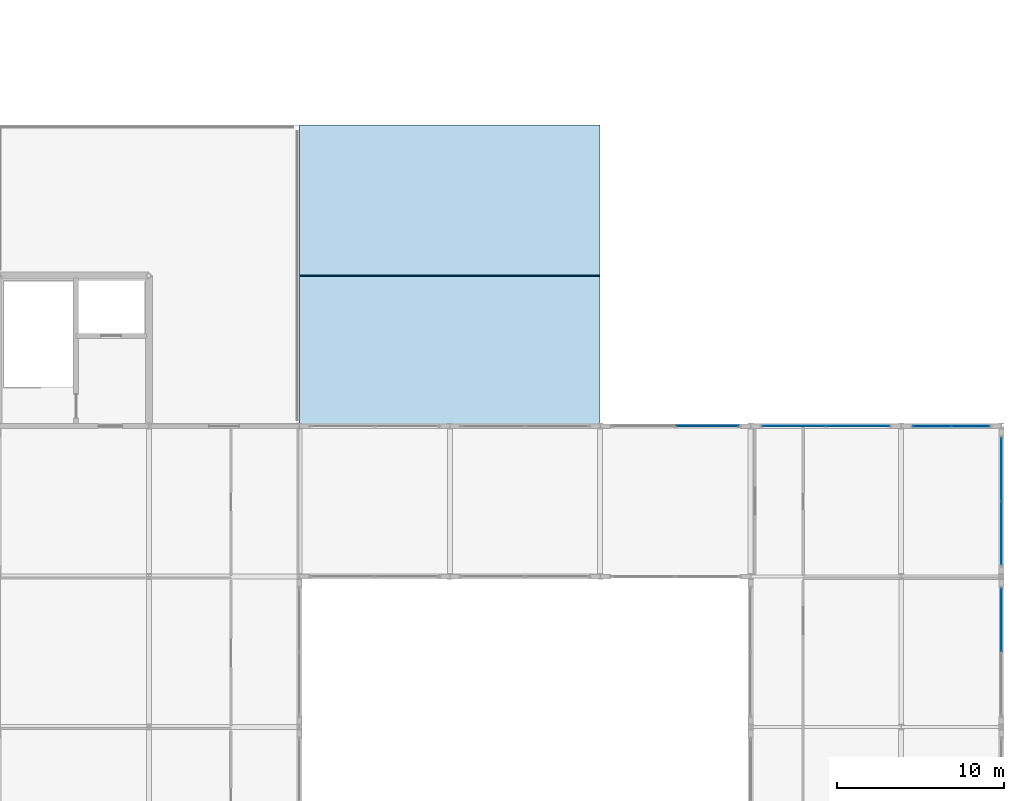
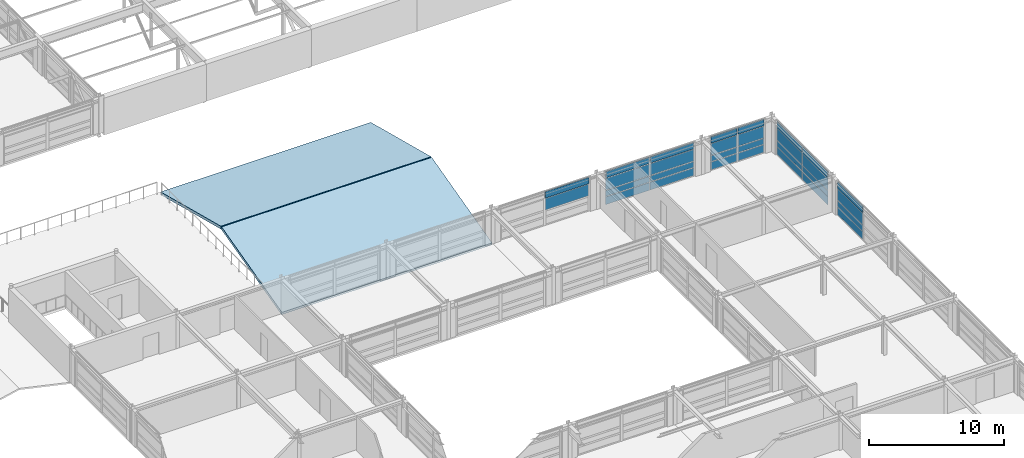
# One storey, part 69 of 91: 30 plates, 2 slabs, 5 elements without a shape of their own.
"""IFC4 building model written with IfcOpenShell, lengths in metres."""

from ifc_helpers import new_model, si_unit, direction, frame, origin, origin_2d, place, context, subcontext, project, spatial, polyline, rectangle, outline, extrude, material, layer, layer_set, type_object, element, aggregate, save


model = new_model("IFC4")

# Units and contexts
model_context = context("Model", 3, precision=1e-05, world=origin(), true_north=direction((0.0, 1.0)))
body_context = subcontext(model_context, "Body", "Model", "MODEL_VIEW")
ifc_project = project(units=[si_unit("LENGTHUNIT", "METRE"), si_unit("AREAUNIT", "SQUARE_METRE"), si_unit("VOLUMEUNIT", "CUBIC_METRE"), si_unit("PLANEANGLEUNIT", "RADIAN"), si_unit("MASSUNIT", "GRAM", prefix="KILO")], contexts=[model_context])

# Site, building, storey
site_placement = place(None, origin())
site = spatial("IfcSite", under=ifc_project, at=site_placement, CompositionType="ELEMENT")
building_placement = place(site_placement, origin())
building = spatial("IfcBuilding", under=site, at=building_placement, Name="Palais des Congres Ocreval", CompositionType="ELEMENT")
storey_placement = place(building_placement, frame((0.0, 0.0, 8.159912109375)))
storey = spatial("IfcBuildingStorey", under=building, at=storey_placement, Name="L02", CompositionType="ELEMENT", Elevation=8.159912109375)

# Curtain wall, plates
ifc_material_1 = material(Name="Anodized bronze aluminium and low-E glass", Category="glass")
curtain_wall_type_1 = type_object("IfcCurtainWallType", Name="Unitised Curtain Wall 4900x3660", PredefinedType="USERDEFINED", material=ifc_material_1)
curtain_wall_1_placement = place(storey_placement, origin())
curtain_wall_1 = element("IfcCurtainWall", 1, at=curtain_wall_1_placement, inside=storey, type_object=curtain_wall_type_1, Name="Unitised Curtain Wall CW08 L02", ObjectType="UNITISED CURTAIN WALL", PredefinedType="USERDEFINED")
ifc_material_2 = material(Name="Acoustic triple glazing", Category="glass")
ifc_layer_1 = layer(ifc_material_2, 0.0439453125)
ifc_layer_set_1 = layer_set([ifc_layer_1], Name="Acoustic Laminated Glazing Panel 44 (Acoustic triple glazing)")
plate_type_1 = type_object("IfcPlateType", Name="Acoustic Laminated Glazing Panel 44", PredefinedType="CURTAIN_PANEL", material=ifc_layer_set_1)
plate_1_placement = place(storey_placement, frame((163.84375, 45.0, 0.06005859375), z_axis=(0.0, 0.0, 1.0), x_axis=(1.0, 0.0, 0.0)))
plate_1 = element("IfcPlate", 2, at=plate_1_placement, type_object=plate_type_1, Name="Vision Glazing Panel VP02", PredefinedType="CURTAIN_PANEL", context=body_context, shape_type="SweptSolid", body=[
    extrude(rectangle(XDim=2.237548828125, YDim=0.0439453125, at=origin_2d()), origin(), (0.0, 0.0, 1.0), 0.68994140625),
])
plate_2_placement = place(storey_placement, frame((163.84375, 45.0, 0.81005859375), z_axis=(0.0, 0.0, 1.0), x_axis=(1.0, 0.0, 0.0)))
plate_2 = element("IfcPlate", 3, at=plate_2_placement, type_object=plate_type_1, Name="Vision Glazing Panel VP02", PredefinedType="CURTAIN_PANEL", context=body_context, shape_type="SweptSolid", body=[
    extrude(rectangle(XDim=2.237548828125, YDim=0.0439453125, at=origin_2d()), origin(), (0.0, 0.0, 1.0), 0.512939453125),
])
plate_3_placement = place(storey_placement, frame((163.84375, 45.0, 1.3828125), z_axis=(0.0, 0.0, 1.0), x_axis=(1.0, 0.0, 0.0)))
plate_3 = element("IfcPlate", 4, at=plate_3_placement, type_object=plate_type_1, Name="Vision Glazing Panel VP02", PredefinedType="CURTAIN_PANEL", context=body_context, shape_type="SweptSolid", body=[
    extrude(rectangle(XDim=2.237548828125, YDim=0.0439453125, at=origin_2d()), origin(), (0.0, 0.0, 1.0), 1.047119140625),
])
plate_4_placement = place(storey_placement, frame((166.15625, 45.0, 0.06005859375), z_axis=(0.0, 0.0, 1.0), x_axis=(1.0, 0.0, 0.0)))
plate_4 = element("IfcPlate", 5, at=plate_4_placement, type_object=plate_type_1, Name="Vision Glazing Panel VP02", PredefinedType="CURTAIN_PANEL", context=body_context, shape_type="SweptSolid", body=[
    extrude(rectangle(XDim=2.237548828125, YDim=0.0439453125, at=origin_2d()), origin(), (0.0, 0.0, 1.0), 0.68994140625),
])
plate_5_placement = place(storey_placement, frame((166.15625, 45.0, 0.81005859375), z_axis=(0.0, 0.0, 1.0), x_axis=(1.0, 0.0, 0.0)))
plate_5 = element("IfcPlate", 6, at=plate_5_placement, type_object=plate_type_1, Name="Vision Glazing Panel VP02", PredefinedType="CURTAIN_PANEL", context=body_context, shape_type="SweptSolid", body=[
    extrude(rectangle(XDim=2.237548828125, YDim=0.0439453125, at=origin_2d()), origin(), (0.0, 0.0, 1.0), 0.512939453125),
])
plate_6_placement = place(storey_placement, frame((166.15625, 45.0, 1.3828125), z_axis=(0.0, 0.0, 1.0), x_axis=(1.0, 0.0, 0.0)))
plate_6 = element("IfcPlate", 7, at=plate_6_placement, type_object=plate_type_1, Name="Vision Glazing Panel VP02", PredefinedType="CURTAIN_PANEL", context=body_context, shape_type="SweptSolid", body=[
    extrude(rectangle(XDim=2.237548828125, YDim=0.0439453125, at=origin_2d()), origin(), (0.0, 0.0, 1.0), 1.047119140625),
])

curtain_wall_type_2 = type_object("IfcCurtainWallType", Name="Unitised Curtain Wall 7900x3120", PredefinedType="USERDEFINED", material=ifc_material_1)
curtain_wall_2_placement = place(storey_placement, origin())
curtain_wall_2 = element("IfcCurtainWall", 8, at=curtain_wall_2_placement, inside=storey, type_object=curtain_wall_type_2, Name="Unitised Curtain Wall CW03 L02", ObjectType="UNITISED CURTAIN WALL", PredefinedType="USERDEFINED")
ifc_material_3 = material(Name="Anodized bronze aluminium", Category="aluminium")
ifc_layer_2 = layer(ifc_material_3, 0.06005859375)
ifc_layer_set_2 = layer_set([ifc_layer_2], Name="Anodized Bronze Spandrel Cassette 60 (Anodized bronze aluminium)")
plate_type_2 = type_object("IfcPlateType", Name="Anodized Bronze Spandrel Cassette 60", PredefinedType="SHEET", material=ifc_layer_set_2)
plate_7_placement = place(storey_placement, frame((155.59375, 45.0, 2.489990234375), z_axis=(0.0, 0.0, 1.0), x_axis=(1.0, 0.0, 0.0)))
plate_7 = element("IfcPlate", 9, at=plate_7_placement, type_object=plate_type_2, Name="Spandrel Sheet SPN1", PredefinedType="SHEET", context=body_context, shape_type="SweptSolid", body=[
    extrude(rectangle(XDim=3.737548828125, YDim=0.06005859375, at=origin_2d()), origin(), (0.0, 0.0, 1.0), 0.56005859375),
])
plate_8_placement = place(storey_placement, frame((159.40625, 45.0, 2.489990234375), z_axis=(0.0, 0.0, 1.0), x_axis=(1.0, 0.0, 0.0)))
plate_8 = element("IfcPlate", 10, at=plate_8_placement, type_object=plate_type_2, Name="Spandrel Sheet SPN1", PredefinedType="SHEET", context=body_context, shape_type="SweptSolid", body=[
    extrude(rectangle(XDim=3.737548828125, YDim=0.06005859375, at=origin_2d()), origin(), (0.0, 0.0, 1.0), 0.56005859375),
])

curtain_wall_3_placement = place(storey_placement, origin())
curtain_wall_3 = element("IfcCurtainWall", 11, at=curtain_wall_3_placement, inside=storey, type_object=curtain_wall_type_2, Name="Unitised Curtain Wall CW03 L02", ObjectType="UNITISED CURTAIN WALL", PredefinedType="USERDEFINED")
plate_9_placement = place(storey_placement, frame((168.0, 42.40625, 2.489990234375), z_axis=(0.0, 0.0, 1.0), x_axis=(0.0, -1.0, 0.0)))
plate_9 = element("IfcPlate", 12, at=plate_9_placement, type_object=plate_type_2, Name="Spandrel Sheet SPN1", PredefinedType="SHEET", context=body_context, shape_type="SweptSolid", body=[
    extrude(rectangle(XDim=3.737548828125, YDim=0.06005859375, at=origin_2d()), origin(), (0.0, 0.0, 1.0), 0.56005859375),
])
plate_10_placement = place(storey_placement, frame((168.0, 38.59375, 2.489990234375), z_axis=(0.0, 0.0, 1.0), x_axis=(0.0, -1.0, 0.0)))
plate_10 = element("IfcPlate", 13, at=plate_10_placement, type_object=plate_type_2, Name="Spandrel Sheet SPN1", PredefinedType="SHEET", context=body_context, shape_type="SweptSolid", body=[
    extrude(rectangle(XDim=3.737548828125, YDim=0.06005859375, at=origin_2d()), origin(), (0.0, 0.0, 1.0), 0.56005859375),
])

# Slabs
ifc_material_4 = material(Name="Concrete C40/50", Category="concrete")
ifc_layer_3 = layer(ifc_material_4, 0.25)
ifc_layer_set_3 = layer_set([ifc_layer_3], Name="Folded and Crown Roof Deck 250 Concrete C40/50")
slab_type = type_object("IfcSlabType", Name="Folded and Crown Roof Deck 250 Concrete C40/50", PredefinedType="ROOF", material=ifc_layer_set_3)
for number, where, z_axis, x_axis, name in (
    (14, (126.0, 45.0, 0.0), (0.0, -0.250427182025, 0.968135438099), (1.0, 0.0, 0.0), "Hydrotherapy Spa South Folded Shell Roof"),
    (15, (126.0, 54.044921875, 2.31640625), (0.0, 0.250427182025, 0.968135438099), (1.0, 0.0, 0.0), "Hydrotherapy Spa North Folded Shell Roof"),
):
    element("IfcSlab", number, at=place(storey_placement, frame(where, z_axis=z_axis, x_axis=x_axis)), inside=storey, type_object=slab_type, Name=name, PredefinedType="ROOF", context=body_context, shape_type="SweptSolid", body=[
        extrude(outline(polyline([(0.0, 0.0), (18.0, 0.0), (18.0, 9.249819573369667), (0.0, 9.249819573369667), (0.0, 0.0)])), origin(), (0.0, 0.0, -1.0), 0.25),
    ])

# Curtain wall, plate
curtain_wall_4_placement = place(storey_placement, origin())
curtain_wall_4 = element("IfcCurtainWall", 16, at=curtain_wall_4_placement, inside=storey, type_object=curtain_wall_type_2, Name="Unitised Curtain Wall CW03 L02", ObjectType="UNITISED CURTAIN WALL", PredefinedType="USERDEFINED")
ifc_material_5 = material(Name="Low-E solar-control double glazing", Category="glass")
ifc_layer_4 = layer(ifc_material_5, 0.031982421875)
ifc_layer_set_4 = layer_set([ifc_layer_4], Name="Galleria Clear Vision Panel 32 (Low-E solar-control double glazing)")
plate_type_3 = type_object("IfcPlateType", Name="Galleria Clear Vision Panel 32", PredefinedType="CURTAIN_PANEL", material=ifc_layer_set_4)
plate_11_placement = place(storey_placement, frame((150.40625, 45.0, 1.3828125), z_axis=(0.0, 0.0, 1.0), x_axis=(1.0, 0.0, 0.0)))
plate_11 = element("IfcPlate", 17, at=plate_11_placement, type_object=plate_type_3, Name="Vision Glazing Panel VP03", PredefinedType="CURTAIN_PANEL", context=body_context, shape_type="SweptSolid", body=[
    extrude(rectangle(XDim=3.737548828125, YDim=0.031982421875, at=origin_2d()), origin(), (0.0, 0.0, 1.0), 1.047119140625),
])

# Plate
plate_12_placement = place(storey_placement, frame((168.0, 42.40625, 0.06005859375), z_axis=(0.0, 0.0, 1.0), x_axis=(0.0, -1.0, 0.0)))
plate_12 = element("IfcPlate", 18, at=plate_12_placement, type_object=plate_type_3, Name="Vision Glazing Panel VP03", PredefinedType="CURTAIN_PANEL", context=body_context, shape_type="SweptSolid", body=[
    extrude(rectangle(XDim=3.737548828125, YDim=0.031982421875, at=origin_2d()), origin(), (0.0, 0.0, 1.0), 0.68994140625),
])

plate_13_placement = place(storey_placement, frame((168.0, 42.40625, 0.81005859375), z_axis=(0.0, 0.0, 1.0), x_axis=(0.0, -1.0, 0.0)))
plate_13 = element("IfcPlate", 19, at=plate_13_placement, type_object=plate_type_3, Name="Vision Glazing Panel VP03", PredefinedType="CURTAIN_PANEL", context=body_context, shape_type="SweptSolid", body=[
    extrude(rectangle(XDim=3.737548828125, YDim=0.031982421875, at=origin_2d()), origin(), (0.0, 0.0, 1.0), 0.512939453125),
])

plate_14_placement = place(storey_placement, frame((168.0, 42.40625, 1.3828125), z_axis=(0.0, 0.0, 1.0), x_axis=(0.0, -1.0, 0.0)))
plate_14 = element("IfcPlate", 20, at=plate_14_placement, type_object=plate_type_3, Name="Vision Glazing Panel VP03", PredefinedType="CURTAIN_PANEL", context=body_context, shape_type="SweptSolid", body=[
    extrude(rectangle(XDim=3.737548828125, YDim=0.031982421875, at=origin_2d()), origin(), (0.0, 0.0, 1.0), 1.047119140625),
])

plate_15_placement = place(storey_placement, frame((168.0, 38.59375, 0.06005859375), z_axis=(0.0, 0.0, 1.0), x_axis=(0.0, -1.0, 0.0)))
plate_15 = element("IfcPlate", 21, at=plate_15_placement, type_object=plate_type_3, Name="Vision Glazing Panel VP03", PredefinedType="CURTAIN_PANEL", context=body_context, shape_type="SweptSolid", body=[
    extrude(rectangle(XDim=3.737548828125, YDim=0.031982421875, at=origin_2d()), origin(), (0.0, 0.0, 1.0), 0.68994140625),
])

plate_16_placement = place(storey_placement, frame((168.0, 38.59375, 0.81005859375), z_axis=(0.0, 0.0, 1.0), x_axis=(0.0, -1.0, 0.0)))
plate_16 = element("IfcPlate", 22, at=plate_16_placement, type_object=plate_type_3, Name="Vision Glazing Panel VP03", PredefinedType="CURTAIN_PANEL", context=body_context, shape_type="SweptSolid", body=[
    extrude(rectangle(XDim=3.737548828125, YDim=0.031982421875, at=origin_2d()), origin(), (0.0, 0.0, 1.0), 0.512939453125),
])

plate_17_placement = place(storey_placement, frame((168.0, 38.59375, 1.3828125), z_axis=(0.0, 0.0, 1.0), x_axis=(0.0, -1.0, 0.0)))
plate_17 = element("IfcPlate", 23, at=plate_17_placement, type_object=plate_type_3, Name="Vision Glazing Panel VP03", PredefinedType="CURTAIN_PANEL", context=body_context, shape_type="SweptSolid", body=[
    extrude(rectangle(XDim=3.737548828125, YDim=0.031982421875, at=origin_2d()), origin(), (0.0, 0.0, 1.0), 1.047119140625),
])

aggregate(curtain_wall_3, [plate_12, plate_13, plate_14, plate_9, plate_15, plate_16, plate_17, plate_10])

ifc_layer_5 = layer(ifc_material_5, 0.035888671875)
ifc_layer_set_5 = layer_set([ifc_layer_5], Name="Low-E Vision Glazing Panel 36 (Low-E solar-control double glazing)")
plate_type_4 = type_object("IfcPlateType", Name="Low-E Vision Glazing Panel 36", PredefinedType="CURTAIN_PANEL", material=ifc_layer_set_5)
plate_18_placement = place(storey_placement, frame((155.59375, 45.0, 0.06005859375), z_axis=(0.0, 0.0, 1.0), x_axis=(1.0, 0.0, 0.0)))
plate_18 = element("IfcPlate", 24, at=plate_18_placement, type_object=plate_type_4, Name="Vision Glazing Panel VP01", PredefinedType="CURTAIN_PANEL", context=body_context, shape_type="SweptSolid", body=[
    extrude(rectangle(XDim=3.737548828125, YDim=0.035888671875, at=origin_2d()), origin(), (0.0, 0.0, 1.0), 0.68994140625),
])

plate_19_placement = place(storey_placement, frame((155.59375, 45.0, 0.81005859375), z_axis=(0.0, 0.0, 1.0), x_axis=(1.0, 0.0, 0.0)))
plate_19 = element("IfcPlate", 25, at=plate_19_placement, type_object=plate_type_4, Name="Vision Glazing Panel VP01", PredefinedType="CURTAIN_PANEL", context=body_context, shape_type="SweptSolid", body=[
    extrude(rectangle(XDim=3.737548828125, YDim=0.035888671875, at=origin_2d()), origin(), (0.0, 0.0, 1.0), 0.512939453125),
])

plate_20_placement = place(storey_placement, frame((155.59375, 45.0, 1.3828125), z_axis=(0.0, 0.0, 1.0), x_axis=(1.0, 0.0, 0.0)))
plate_20 = element("IfcPlate", 26, at=plate_20_placement, type_object=plate_type_4, Name="Vision Glazing Panel VP01", PredefinedType="CURTAIN_PANEL", context=body_context, shape_type="SweptSolid", body=[
    extrude(rectangle(XDim=3.737548828125, YDim=0.035888671875, at=origin_2d()), origin(), (0.0, 0.0, 1.0), 1.047119140625),
])

plate_21_placement = place(storey_placement, frame((159.40625, 45.0, 0.06005859375), z_axis=(0.0, 0.0, 1.0), x_axis=(1.0, 0.0, 0.0)))
plate_21 = element("IfcPlate", 27, at=plate_21_placement, type_object=plate_type_4, Name="Vision Glazing Panel VP01", PredefinedType="CURTAIN_PANEL", context=body_context, shape_type="SweptSolid", body=[
    extrude(rectangle(XDim=3.737548828125, YDim=0.035888671875, at=origin_2d()), origin(), (0.0, 0.0, 1.0), 0.68994140625),
])

plate_22_placement = place(storey_placement, frame((159.40625, 45.0, 0.81005859375), z_axis=(0.0, 0.0, 1.0), x_axis=(1.0, 0.0, 0.0)))
plate_22 = element("IfcPlate", 28, at=plate_22_placement, type_object=plate_type_4, Name="Vision Glazing Panel VP01", PredefinedType="CURTAIN_PANEL", context=body_context, shape_type="SweptSolid", body=[
    extrude(rectangle(XDim=3.737548828125, YDim=0.035888671875, at=origin_2d()), origin(), (0.0, 0.0, 1.0), 0.512939453125),
])

plate_23_placement = place(storey_placement, frame((159.40625, 45.0, 1.3828125), z_axis=(0.0, 0.0, 1.0), x_axis=(1.0, 0.0, 0.0)))
plate_23 = element("IfcPlate", 29, at=plate_23_placement, type_object=plate_type_4, Name="Vision Glazing Panel VP01", PredefinedType="CURTAIN_PANEL", context=body_context, shape_type="SweptSolid", body=[
    extrude(rectangle(XDim=3.737548828125, YDim=0.035888671875, at=origin_2d()), origin(), (0.0, 0.0, 1.0), 1.047119140625),
])

aggregate(curtain_wall_2, [plate_18, plate_19, plate_20, plate_7, plate_21, plate_22, plate_23, plate_8])

# Curtain wall, plates
curtain_wall_5_placement = place(storey_placement, origin())
curtain_wall_5 = element("IfcCurtainWall", 30, at=curtain_wall_5_placement, inside=storey, type_object=curtain_wall_type_2, Name="Unitised Curtain Wall CW03 L02", ObjectType="UNITISED CURTAIN WALL", PredefinedType="USERDEFINED")
plate_24_placement = place(storey_placement, frame((168.0, 33.40625, 0.06005859375), z_axis=(0.0, 0.0, 1.0), x_axis=(0.0, -1.0, 0.0)))
plate_24 = element("IfcPlate", 31, at=plate_24_placement, type_object=plate_type_4, Name="Vision Glazing Panel VP01", PredefinedType="CURTAIN_PANEL", context=body_context, shape_type="SweptSolid", body=[
    extrude(rectangle(XDim=3.737548828125, YDim=0.035888671875, at=origin_2d()), origin(), (0.0, 0.0, 1.0), 0.68994140625),
])
plate_25_placement = place(storey_placement, frame((168.0, 33.40625, 0.81005859375), z_axis=(0.0, 0.0, 1.0), x_axis=(0.0, -1.0, 0.0)))
plate_25 = element("IfcPlate", 32, at=plate_25_placement, type_object=plate_type_4, Name="Vision Glazing Panel VP01", PredefinedType="CURTAIN_PANEL", context=body_context, shape_type="SweptSolid", body=[
    extrude(rectangle(XDim=3.737548828125, YDim=0.035888671875, at=origin_2d()), origin(), (0.0, 0.0, 1.0), 0.512939453125),
])
plate_26_placement = place(storey_placement, frame((168.0, 33.40625, 1.3828125), z_axis=(0.0, 0.0, 1.0), x_axis=(0.0, -1.0, 0.0)))
plate_26 = element("IfcPlate", 33, at=plate_26_placement, type_object=plate_type_4, Name="Vision Glazing Panel VP01", PredefinedType="CURTAIN_PANEL", context=body_context, shape_type="SweptSolid", body=[
    extrude(rectangle(XDim=3.737548828125, YDim=0.035888671875, at=origin_2d()), origin(), (0.0, 0.0, 1.0), 1.047119140625),
])

# Plate
ifc_material_6 = material(Name="Terracotta ceramic spandrel", Category="masonry")
ifc_layer_6 = layer(ifc_material_6, 0.080078125)
ifc_layer_set_6 = layer_set([ifc_layer_6], Name="Terracotta Insulated Spandrel Sheet 80 (Terracotta ceramic spandrel)")
plate_type_5 = type_object("IfcPlateType", Name="Terracotta Insulated Spandrel Sheet 80", PredefinedType="SHEET", material=ifc_layer_set_6)
plate_27_placement = place(storey_placement, frame((150.40625, 45.0, 2.489990234375), z_axis=(0.0, 0.0, 1.0), x_axis=(1.0, 0.0, 0.0)))
plate_27 = element("IfcPlate", 34, at=plate_27_placement, type_object=plate_type_5, Name="Spandrel Sheet SPN2", PredefinedType="SHEET", context=body_context, shape_type="SweptSolid", body=[
    extrude(rectangle(XDim=3.737548828125, YDim=0.080078125, at=origin_2d()), origin(), (0.0, 0.0, 1.0), 0.56005859375),
])

aggregate(curtain_wall_4, [plate_11, plate_27])

plate_28_placement = place(storey_placement, frame((163.84375, 45.0, 2.489990234375), z_axis=(0.0, 0.0, 1.0), x_axis=(1.0, 0.0, 0.0)))
plate_28 = element("IfcPlate", 35, at=plate_28_placement, type_object=plate_type_5, Name="Spandrel Sheet SPN2", PredefinedType="SHEET", context=body_context, shape_type="SweptSolid", body=[
    extrude(rectangle(XDim=2.237548828125, YDim=0.080078125, at=origin_2d()), origin(), (0.0, 0.0, 1.0), 0.56005859375),
])

plate_29_placement = place(storey_placement, frame((166.15625, 45.0, 2.489990234375), z_axis=(0.0, 0.0, 1.0), x_axis=(1.0, 0.0, 0.0)))
plate_29 = element("IfcPlate", 36, at=plate_29_placement, type_object=plate_type_5, Name="Spandrel Sheet SPN2", PredefinedType="SHEET", context=body_context, shape_type="SweptSolid", body=[
    extrude(rectangle(XDim=2.237548828125, YDim=0.080078125, at=origin_2d()), origin(), (0.0, 0.0, 1.0), 0.56005859375),
])

aggregate(curtain_wall_1, [plate_1, plate_2, plate_3, plate_28, plate_4, plate_5, plate_6, plate_29])

plate_30_placement = place(storey_placement, frame((168.0, 33.40625, 2.489990234375), z_axis=(0.0, 0.0, 1.0), x_axis=(0.0, -1.0, 0.0)))
plate_30 = element("IfcPlate", 37, at=plate_30_placement, type_object=plate_type_5, Name="Spandrel Sheet SPN2", PredefinedType="SHEET", context=body_context, shape_type="SweptSolid", body=[
    extrude(rectangle(XDim=3.737548828125, YDim=0.080078125, at=origin_2d()), origin(), (0.0, 0.0, 1.0), 0.56005859375),
])

aggregate(curtain_wall_5, [plate_24, plate_25, plate_26, plate_30])

save(model, "model.ifc")
